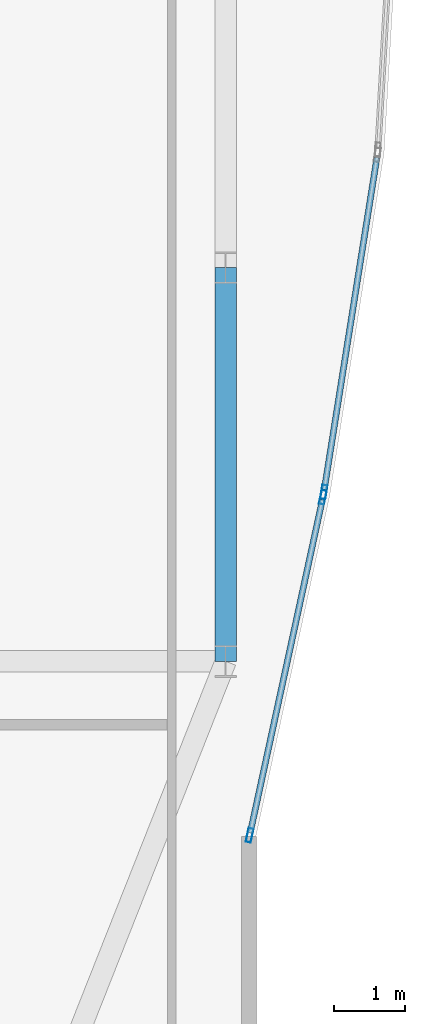
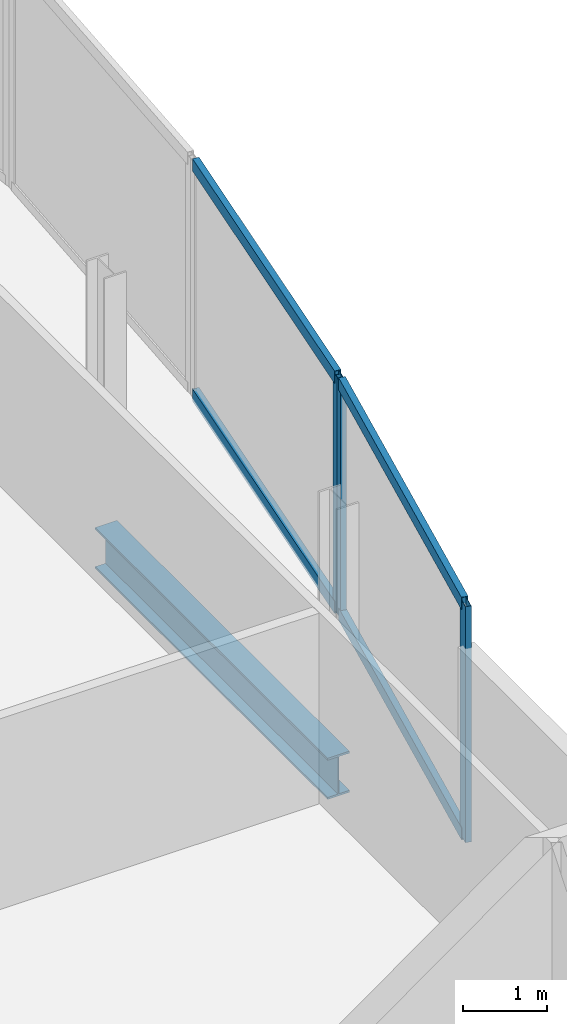
# One storey, part 16 of 30: 7 members, 1 beam, 2 elements without a shape of their own.
"""IFC4 building model written with IfcOpenShell, lengths in metres."""

from ifc_helpers import new_model, si_unit, direction, frame, origin, origin_2d, place, context, subcontext, project, spatial, hollow_rectangle, i_section, extrude, material, material_profile, profile_set, type_object, element, aggregate, save


model = new_model("IFC4")

# Units and contexts
model_context = context("Model", 3, precision=1e-05, world=origin(), true_north=direction((0.0, 1.0)))
body_context = subcontext(model_context, "Body", "Model", "MODEL_VIEW")
ifc_project = project(units=[si_unit("LENGTHUNIT", "METRE"), si_unit("AREAUNIT", "SQUARE_METRE"), si_unit("VOLUMEUNIT", "CUBIC_METRE"), si_unit("PLANEANGLEUNIT", "RADIAN"), si_unit("MASSUNIT", "GRAM", prefix="KILO")], contexts=[model_context])

# Site, building, storey
site_placement = place(None, origin())
site = spatial("IfcSite", under=ifc_project, at=site_placement, CompositionType="ELEMENT")
building_placement = place(site_placement, origin())
building = spatial("IfcBuilding", under=site, at=building_placement, Name="Khoronbel Lancet Exchange", CompositionType="ELEMENT")
storey_placement = place(building_placement, frame((0.0, 0.0, 217.39990234375)))
storey = spatial("IfcBuildingStorey", under=building, at=storey_placement, Name="L55", CompositionType="ELEMENT", Elevation=217.39990234375)

# Beam
ifc_material_1 = material(Name="Steel S355", Category="steel")
ifc_material_profile_1 = material_profile(ifc_material_1, i_section(OverallWidth=0.300048828125, OverallDepth=0.60009765625, WebThickness=0.015380859375, FlangeThickness=0.030029296875, at=origin_2d()), Name="HEB 600")
ifc_profile_set_1 = profile_set([ifc_material_profile_1], Name="Steel S355")
beam_type = type_object("IfcBeamType", Name="BM-BSP2", PredefinedType="SPANDREL", material=ifc_profile_set_1)
beam_placement = place(storey_placement, frame((65.6298828125, 19.199951171875, -0.4599609375), z_axis=(0.0, 1.0, 0.0), x_axis=(-1.0, 0.0, 0.0)))
element("IfcBeam", 1, at=beam_placement, inside=storey, type_object=beam_type, Name="Level L55 perimeter spandrel beam SP11", PredefinedType="SPANDREL", context=body_context, shape_type="SweptSolid", body=[
    extrude(i_section(OverallWidth=0.300048828125, OverallDepth=0.60009765625, WebThickness=0.015380859375, FlangeThickness=0.030029296875, at=origin_2d()), origin(), (0.0, 0.0, 1.0), 5.550048828125),
])

# Curtain wall, member
ifc_material_2 = material(Name="Low-E Solar Control Insulating Glass", Category="glass")
curtain_wall_type = type_object("IfcCurtainWallType", Name="CW-4", PredefinedType="NOTDEFINED", material=ifc_material_2)
curtain_wall_1_placement = place(storey_placement, origin())
curtain_wall_1 = element("IfcCurtainWall", 2, at=curtain_wall_1_placement, inside=storey, type_object=curtain_wall_type, Name="Unitised curtain wall CW-L55-E21", PredefinedType="NOTDEFINED")
ifc_material_3 = material(Name="Bronze-Anodised Aluminium 6063-T6", Category="aluminium")
ifc_material_profile_2 = material_profile(ifc_material_3, hollow_rectangle(XDim=0.074951171875, YDim=0.199951171875, WallThickness=0.0048828125, at=origin_2d()), Name="ALU MULLION 75x200")
ifc_profile_set_2 = profile_set([ifc_material_profile_2], Name="Bronze-Anodised Aluminium 6063-T6")
member_type_1 = type_object("IfcMemberType", Name="MEM-CWM2", PredefinedType="MULLION", material=ifc_profile_set_2)
member_1_placement = place(storey_placement, frame((67.01416015625, 21.5869140625, 0.0), z_axis=(0.0, 0.0, 1.0), x_axis=(0.987661213762, -0.156605641119, 0.0)))
member_1 = element("IfcMember", 3, at=member_1_placement, type_object=member_type_1, Name="CW4 mullion 2", PredefinedType="MULLION", context=body_context, shape_type="SweptSolid", body=[
    extrude(hollow_rectangle(XDim=0.074951171875, YDim=0.199951171875, WallThickness=0.0048828125, at=origin_2d()), origin(), (0.0, 0.0, 1.0), 3.440185546875),
])

# Curtain wall, members
curtain_wall_2_placement = place(storey_placement, origin())
curtain_wall_2 = element("IfcCurtainWall", 4, at=curtain_wall_2_placement, inside=storey, type_object=curtain_wall_type, Name="Unitised curtain wall CW-L55-E22", PredefinedType="NOTDEFINED")
member_2_placement = place(storey_placement, frame((67.000244140625, 21.51318359375, 0.0), z_axis=(0.0, 0.0, 1.0), x_axis=(0.977341174585, -0.211670093448, 0.0)))
member_2 = element("IfcMember", 5, at=member_2_placement, type_object=member_type_1, Name="CW4 mullion 1", PredefinedType="MULLION", context=body_context, shape_type="SweptSolid", body=[
    extrude(hollow_rectangle(XDim=0.074951171875, YDim=0.199951171875, WallThickness=0.0048828125, at=origin_2d()), origin(), (0.0, 0.0, 1.0), 3.440185546875),
])
member_3_placement = place(storey_placement, frame((65.968017578125, 16.746337890625, 0.0), z_axis=(0.0, 0.0, 1.0), x_axis=(0.977341174585, -0.211670093448, 0.0)))
member_3 = element("IfcMember", 6, at=member_3_placement, type_object=member_type_1, Name="CW4 mullion 2", PredefinedType="MULLION", context=body_context, shape_type="SweptSolid", body=[
    extrude(hollow_rectangle(XDim=0.074951171875, YDim=0.199951171875, WallThickness=0.0048828125, at=origin_2d()), origin(), (0.0, 0.0, 1.0), 3.440185546875),
])

# Member
ifc_material_profile_3 = material_profile(ifc_material_3, hollow_rectangle(XDim=0.0849609375, YDim=0.179931640625, WallThickness=0.0048828125, at=origin_2d()), Name="ALU TRANSOM 85x180")
ifc_profile_set_3 = profile_set([ifc_material_profile_3], Name="Bronze-Anodised Aluminium 6063-T6")
member_type_2 = type_object("IfcMemberType", Name="MEM-CWT1", PredefinedType="USERDEFINED", material=ifc_profile_set_3)
member_4_placement = place(storey_placement, frame((67.761962890625, 26.30224609375, 0.04248046875), z_axis=(-0.156637464375, -0.987656167274, 0.0), x_axis=(0.987656167274, -0.156637464375, 0.0)))
member_4 = element("IfcMember", 7, at=member_4_placement, type_object=member_type_2, Name="CW4 transom 1.1", ObjectType="TRANSOM", PredefinedType="USERDEFINED", context=body_context, shape_type="SweptSolid", body=[
    extrude(hollow_rectangle(XDim=0.0849609375, YDim=0.179931640625, WallThickness=0.0048828125, at=origin_2d()), origin(), (0.0, 0.0, 1.0), 4.736572265625),
])

member_5_placement = place(storey_placement, frame((67.761962890625, 26.30224609375, 3.397705078125), z_axis=(-0.156637464375, -0.987656167274, 0.0), x_axis=(0.987656167274, -0.156637464375, 0.0)))
member_5 = element("IfcMember", 8, at=member_5_placement, type_object=member_type_2, Name="CW4 transom 1.2", ObjectType="TRANSOM", PredefinedType="USERDEFINED", context=body_context, shape_type="SweptSolid", body=[
    extrude(hollow_rectangle(XDim=0.0849609375, YDim=0.179931640625, WallThickness=0.0048828125, at=origin_2d()), origin(), (0.0, 0.0, 1.0), 4.736572265625),
])

aggregate(curtain_wall_1, [member_1, member_4, member_5])

member_6_placement = place(storey_placement, frame((66.992431640625, 21.4765625, 0.04248046875), z_axis=(-0.211684556927, -0.977338042009, 0.0), x_axis=(0.977338042009, -0.211684556927, 0.0)))
member_6 = element("IfcMember", 9, at=member_6_placement, type_object=member_type_2, Name="CW4 transom 1.1", ObjectType="TRANSOM", PredefinedType="USERDEFINED", context=body_context, shape_type="SweptSolid", body=[
    extrude(hollow_rectangle(XDim=0.0849609375, YDim=0.179931640625, WallThickness=0.0048828125, at=origin_2d()), origin(), (0.0, 0.0, 1.0), 4.802490234375),
])

member_7_placement = place(storey_placement, frame((66.992431640625, 21.4765625, 3.397705078125), z_axis=(-0.211684556927, -0.977338042009, 0.0), x_axis=(0.977338042009, -0.211684556927, 0.0)))
member_7 = element("IfcMember", 10, at=member_7_placement, type_object=member_type_2, Name="CW4 transom 1.2", ObjectType="TRANSOM", PredefinedType="USERDEFINED", context=body_context, shape_type="SweptSolid", body=[
    extrude(hollow_rectangle(XDim=0.0849609375, YDim=0.179931640625, WallThickness=0.0048828125, at=origin_2d()), origin(), (0.0, 0.0, 1.0), 4.802490234375),
])

aggregate(curtain_wall_2, [member_2, member_3, member_6, member_7])

save(model, "model.ifc")
